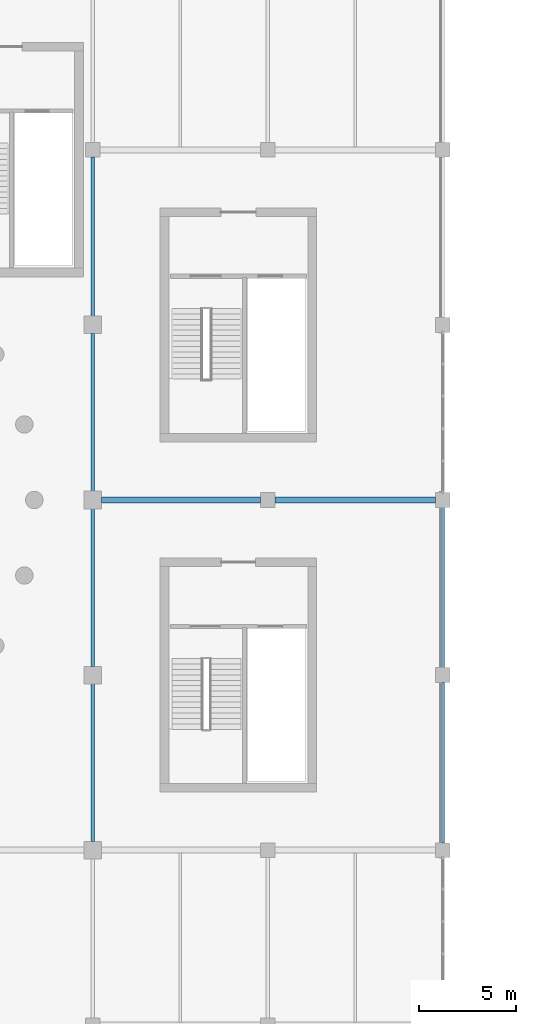
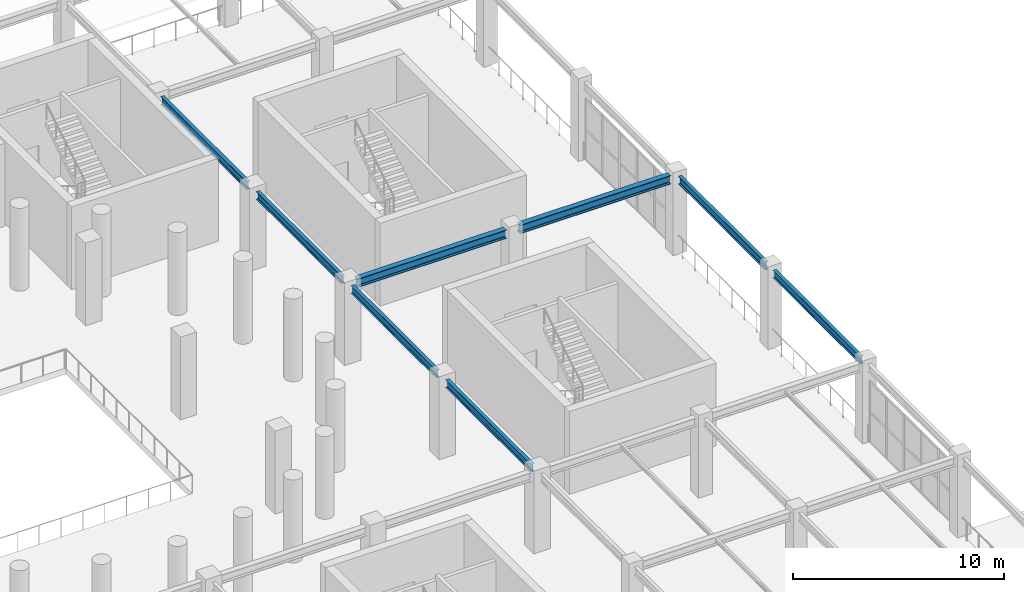
# One storey, part 34 of 89: 8 beams.
"""IFC4 building model written with IfcOpenShell, lengths in metres."""

from ifc_helpers import new_model, si_unit, direction, frame, origin, origin_2d, place, context, subcontext, project, spatial, i_section, extrude, material, material_profile, profile_set, type_object, element, save


model = new_model("IFC4")

# Units and contexts
model_context = context("Model", 3, precision=1e-05, world=origin(), true_north=direction((0.0, 1.0)))
body_context = subcontext(model_context, "Body", "Model", "MODEL_VIEW")
ifc_project = project(units=[si_unit("LENGTHUNIT", "METRE"), si_unit("AREAUNIT", "SQUARE_METRE"), si_unit("VOLUMEUNIT", "CUBIC_METRE"), si_unit("PLANEANGLEUNIT", "RADIAN"), si_unit("MASSUNIT", "GRAM", prefix="KILO")], contexts=[model_context])

# Site, building, storey
site_placement = place(None, origin())
site = spatial("IfcSite", under=ifc_project, at=site_placement, CompositionType="ELEMENT")
building_placement = place(site_placement, origin())
building = spatial("IfcBuilding", under=site, at=building_placement, Name="Dornveld Trade and Exhibition Forum", CompositionType="ELEMENT")
storey_placement = place(building_placement, frame((0.0, 0.0, 12.0)))
storey = spatial("IfcBuildingStorey", under=building, at=storey_placement, Name="L02", CompositionType="ELEMENT", Elevation=12.0)

# Beams
ifc_material_1 = material(Name="Steel S355J2", Category="steel")
ifc_material_profile_1 = material_profile(ifc_material_1, i_section(OverallWidth=0.300048828125, OverallDepth=0.5, WebThickness=0.014404296875, FlangeThickness=0.028076171875, FilletRadius=0.027099609375, at=origin_2d()), Name="HEB 500")
ifc_profile_set_1 = profile_set([ifc_material_profile_1], Name="Steel S355J2")
beam_type_1 = type_object("IfcBeamType", Name="BM-GIR-HEB500", PredefinedType="USERDEFINED", material=ifc_profile_set_1)
beam_1_placement = place(storey_placement, frame((135.446044921875, 81.0, 4.27001953125), z_axis=(1.0, 0.0, 0.0), x_axis=(0.0, 1.0, 0.0)))
element("IfcBeam", 1, at=beam_1_placement, inside=storey, type_object=beam_type_1, Name="L02 X-girder 1485", ObjectType="GIRDER", PredefinedType="USERDEFINED", context=body_context, shape_type="SweptSolid", body=[
    extrude(i_section(OverallWidth=0.300048828125, OverallDepth=0.5, WebThickness=0.014404296875, FlangeThickness=0.028076171875, FilletRadius=0.027099609375, at=origin_2d()), origin(), (0.0, 0.0, 1.0), 8.182861328125),
])
beam_2_placement = place(storey_placement, frame((144.37109375, 81.0, 4.27001953125), z_axis=(1.0, 0.0, 0.0), x_axis=(0.0, 1.0, 0.0)))
element("IfcBeam", 2, at=beam_2_placement, inside=storey, type_object=beam_type_1, Name="L02 X-girder 1486", ObjectType="GIRDER", PredefinedType="USERDEFINED", context=body_context, shape_type="SweptSolid", body=[
    extrude(i_section(OverallWidth=0.300048828125, OverallDepth=0.5, WebThickness=0.014404296875, FlangeThickness=0.028076171875, FilletRadius=0.027099609375, at=origin_2d()), origin(), (0.0, 0.0, 1.0), 8.2578125),
])
ifc_material_2 = material(Name="Steel S355J2", Category="steel")
ifc_material_profile_2 = material_profile(ifc_material_2, i_section(OverallWidth=0.18994140625, OverallDepth=0.449951171875, WebThickness=0.009521484375, FlangeThickness=0.0146484375, FilletRadius=0.02099609375, at=origin_2d()), Name="IPE 450")
ifc_profile_set_2 = profile_set([ifc_material_profile_2], Name="Steel S355J2")
beam_type_2 = type_object("IfcBeamType", Name="BM-SEC-450", PredefinedType="BEAM", material=ifc_profile_set_2)
for number, where, z_axis, x_axis, name in (
    (3, (135.0, 63.446044921875, 4.294921875), (0.0, 1.0, 0.0), (-1.0, 0.0, 0.0), "L02 Y-girder 1520"),
    (4, (135.0, 72.446044921875, 4.294921875), (0.0, 1.0, 0.0), (-1.0, 0.0, 0.0), "L02 Y-girder 1521"),
    (5, (135.0, 81.446044921875, 4.294921875), (0.0, 1.0, 0.0), (-1.0, 0.0, 0.0), "L02 Y-girder 1522"),
):
    element("IfcBeam", number, at=place(storey_placement, frame(where, z_axis=z_axis, x_axis=x_axis)), inside=storey, type_object=beam_type_2, Name=name, PredefinedType="BEAM", context=body_context, shape_type="SweptSolid", body=[
        extrude(i_section(OverallWidth=0.18994140625, OverallDepth=0.449951171875, WebThickness=0.009521484375, FlangeThickness=0.0146484375, FilletRadius=0.02099609375, at=origin_2d()), origin(), (0.0, 0.0, 1.0), 8.10791015625),
    ])
beam_3_placement = place(storey_placement, frame((135.0, 90.446044921875, 4.294921875), z_axis=(0.0, 1.0, 0.0), x_axis=(-1.0, 0.0, 0.0)))
element("IfcBeam", 6, at=beam_3_placement, inside=storey, type_object=beam_type_2, Name="L02 Y-girder 1523", PredefinedType="BEAM", context=body_context, shape_type="SweptSolid", body=[
    extrude(i_section(OverallWidth=0.18994140625, OverallDepth=0.449951171875, WebThickness=0.009521484375, FlangeThickness=0.0146484375, FilletRadius=0.02099609375, at=origin_2d()), origin(), (0.0, 0.0, 1.0), 8.182861328125),
])
for number, where, z_axis, x_axis, name in (
    (7, (153.0, 63.37109375, 4.294921875), (0.0, 1.0, 0.0), (-1.0, 0.0, 0.0), "L02 Y-girder 1530"),
    (8, (153.0, 72.37109375, 4.294921875), (0.0, 1.0, 0.0), (-1.0, 0.0, 0.0), "L02 Y-girder 1531"),
):
    element("IfcBeam", number, at=place(storey_placement, frame(where, z_axis=z_axis, x_axis=x_axis)), inside=storey, type_object=beam_type_2, Name=name, PredefinedType="BEAM", context=body_context, shape_type="SweptSolid", body=[
        extrude(i_section(OverallWidth=0.18994140625, OverallDepth=0.449951171875, WebThickness=0.009521484375, FlangeThickness=0.0146484375, FilletRadius=0.02099609375, at=origin_2d()), origin(), (0.0, 0.0, 1.0), 8.2578125),
    ])

save(model, "model.ifc")
